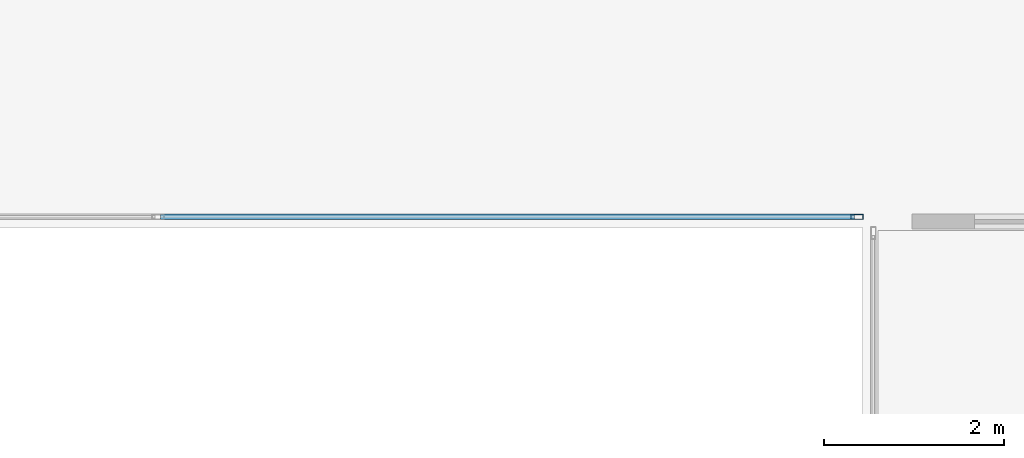
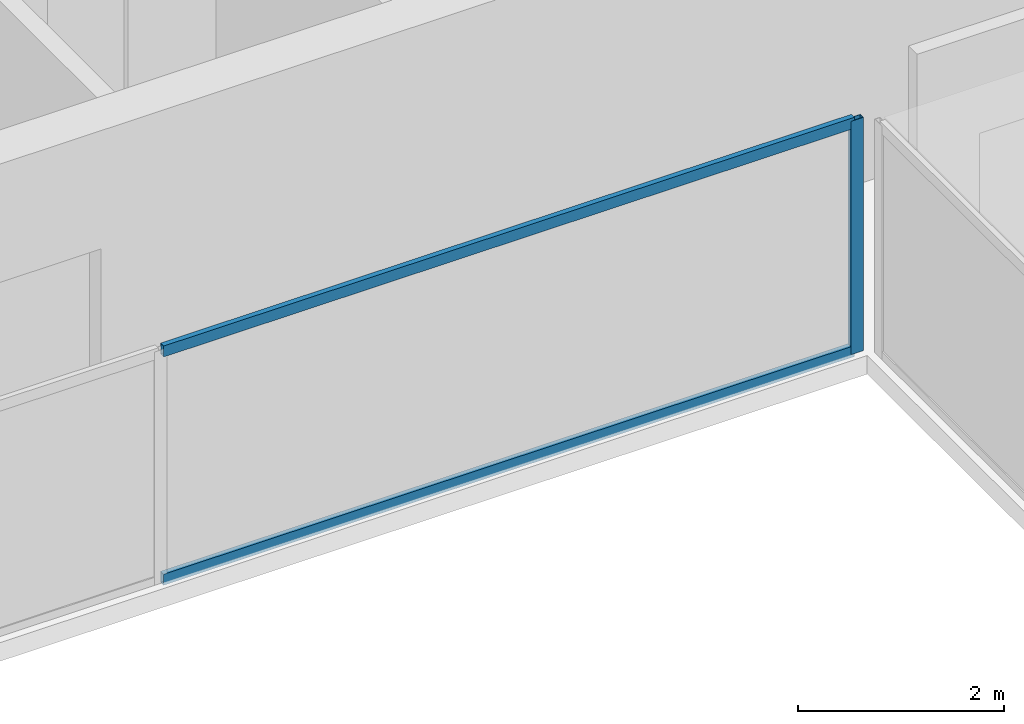
# One storey, part 11 of 31: 3 members, 1 element without a shape of its own.
"""IFC4 building model written with IfcOpenShell, lengths in metres."""

from ifc_helpers import new_model, si_unit, direction, frame, origin, origin_2d, place, context, subcontext, project, spatial, hollow_rectangle, extrude, source, transform, mapped, material, layer, layer_set, material_profile, profile_set, type_object, element, aggregate, save


model = new_model("IFC4")

# Units and contexts
model_context = context("Model", 3, precision=1e-05, world=origin(), true_north=direction((0.0, 1.0)))
body_context = subcontext(model_context, "Body", "Model", "MODEL_VIEW")
ifc_project = project(units=[si_unit("LENGTHUNIT", "METRE"), si_unit("AREAUNIT", "SQUARE_METRE"), si_unit("VOLUMEUNIT", "CUBIC_METRE"), si_unit("PLANEANGLEUNIT", "RADIAN"), si_unit("MASSUNIT", "GRAM", prefix="KILO")], contexts=[model_context])

# Site, building, storey
site_placement = place(None, origin())
site = spatial("IfcSite", under=ifc_project, at=site_placement, CompositionType="ELEMENT")
building_placement = place(site_placement, origin())
building = spatial("IfcBuilding", under=site, at=building_placement, Name="Sumidabori Civic Tower", CompositionType="ELEMENT")
storey_placement = place(building_placement, frame((0.0, 0.0, 221.60009765625)))
storey = spatial("IfcBuildingStorey", under=building, at=storey_placement, Name="L57", CompositionType="ELEMENT", Elevation=221.60009765625)

# Curtain wall, members
ifc_material = material(Name="Anodised Bronze Aluminium AW-6063-T6", Category="aluminium")
ifc_layer = layer(ifc_material, 0.179931640625, Name="Anodised Bronze Aluminium AW-6063-T6")
ifc_layer_set = layer_set([ifc_layer], Name="Anodised Bronze Aluminium AW-6063-T6")
curtain_wall_type = type_object("IfcCurtainWallType", Name="CW-SYS-4", PredefinedType="NOTDEFINED", material=ifc_layer_set)
curtain_wall_placement = place(storey_placement, origin())
curtain_wall = element("IfcCurtainWall", 1, at=curtain_wall_placement, inside=storey, type_object=curtain_wall_type, Name="Curtain Wall CW:L57:R05", PredefinedType="NOTDEFINED")
ifc_material_profile_1 = material_profile(ifc_material, hollow_rectangle(XDim=0.06005859375, YDim=0.139892578125, WallThickness=0.0048828125, at=origin_2d()), Name="ALU MULLION 140x60")
ifc_profile_set_1 = profile_set([ifc_material_profile_1], Name="Anodised Bronze Aluminium AW-6063-T6")
member_type_1 = type_object("IfcMemberType", Name="CW-MUL-140", PredefinedType="MULLION", material=ifc_profile_set_1)
shared_shape_1 = source(origin(), body_context, "Body", "SweptSolid", [
    extrude(hollow_rectangle(XDim=0.06005859375, YDim=0.139892578125, WallThickness=0.0048828125, at=origin_2d()), origin(), (0.0, 0.0, 1.0), 2.760009765625),
])
member_1_placement = place(storey_placement, frame((7.7900390625, 7.52001953125, 0.0), z_axis=(0.0, 0.0, 1.0), x_axis=(0.0, 1.0, 0.0)))
member_1 = element("IfcMember", 2, at=member_1_placement, type_object=member_type_1, Name="CW-4 mullion 3", PredefinedType="MULLION", context=body_context, shape_type="MappedRepresentation", body=[
    mapped(shared_shape_1, transform((0.0, 0.0, 0.0), x_axis=(1.0, 0.0, 0.0), y_axis=(0.0, 1.0, 0.0), z_axis=(0.0, 0.0, 1.0), scale=1.0)),
])
ifc_material_profile_2 = material_profile(ifc_material, hollow_rectangle(XDim=0.06005859375, YDim=0.1298828125, WallThickness=0.0048828125, at=origin_2d()), Name="ALU TRANSOM 130x60")
ifc_profile_set_2 = profile_set([ifc_material_profile_2], Name="Anodised Bronze Aluminium AW-6063-T6")
member_type_2 = type_object("IfcMemberType", Name="CW-TRN-130", PredefinedType="USERDEFINED", material=ifc_profile_set_2)
shared_shape_2 = source(origin(), body_context, "Body", "SweptSolid", [
    extrude(hollow_rectangle(XDim=0.06005859375, YDim=0.1298828125, WallThickness=0.0048828125, at=origin_2d()), origin(), (0.0, 0.0, 1.0), 7.72998046875),
])
member_2_placement = place(storey_placement, frame((0.030029296875, 7.52001953125, 0.02978515625), z_axis=(1.0, 0.0, 0.0), x_axis=(0.0, 1.0, 0.0)))
member_2 = element("IfcMember", 3, at=member_2_placement, type_object=member_type_2, Name="CW-4 transom 2.1", ObjectType="TRANSOM", PredefinedType="USERDEFINED", context=body_context, shape_type="MappedRepresentation", body=[
    mapped(shared_shape_2, transform((0.0, 0.0, 0.0), x_axis=(1.0, 0.0, 0.0), y_axis=(0.0, 1.0, 0.0), z_axis=(0.0, 0.0, 1.0), scale=1.0)),
])
member_3_placement = place(storey_placement, frame((0.030029296875, 7.52001953125, 2.72998046875), z_axis=(1.0, 0.0, 0.0), x_axis=(0.0, 1.0, 0.0)))
member_3 = element("IfcMember", 4, at=member_3_placement, type_object=member_type_2, Name="CW-4 transom 2.2", ObjectType="TRANSOM", PredefinedType="USERDEFINED", context=body_context, shape_type="MappedRepresentation", body=[
    mapped(shared_shape_2, transform((0.0, 0.0, 0.0), x_axis=(1.0, 0.0, 0.0), y_axis=(0.0, 1.0, 0.0), z_axis=(0.0, 0.0, 1.0), scale=1.0)),
])
aggregate(curtain_wall, [member_1, member_2, member_3])

save(model, "model.ifc")
